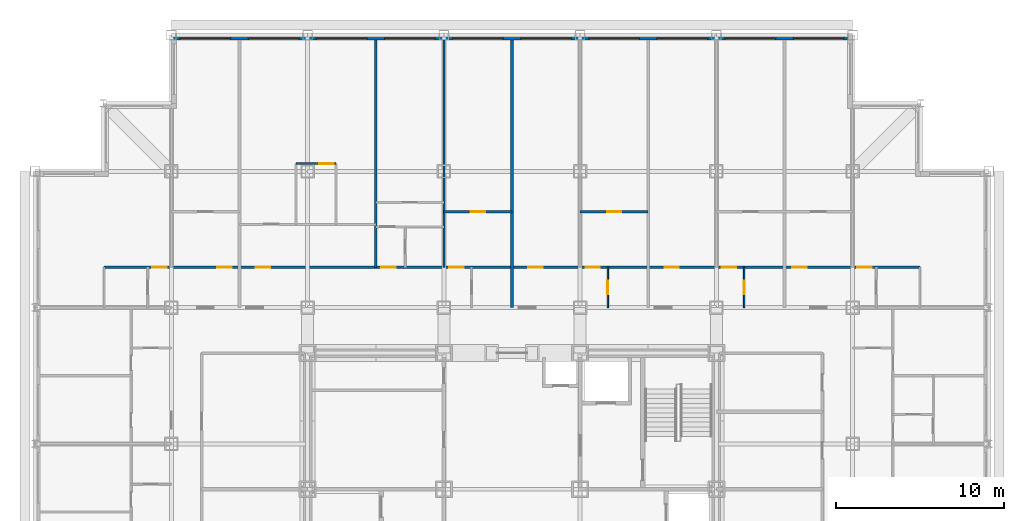
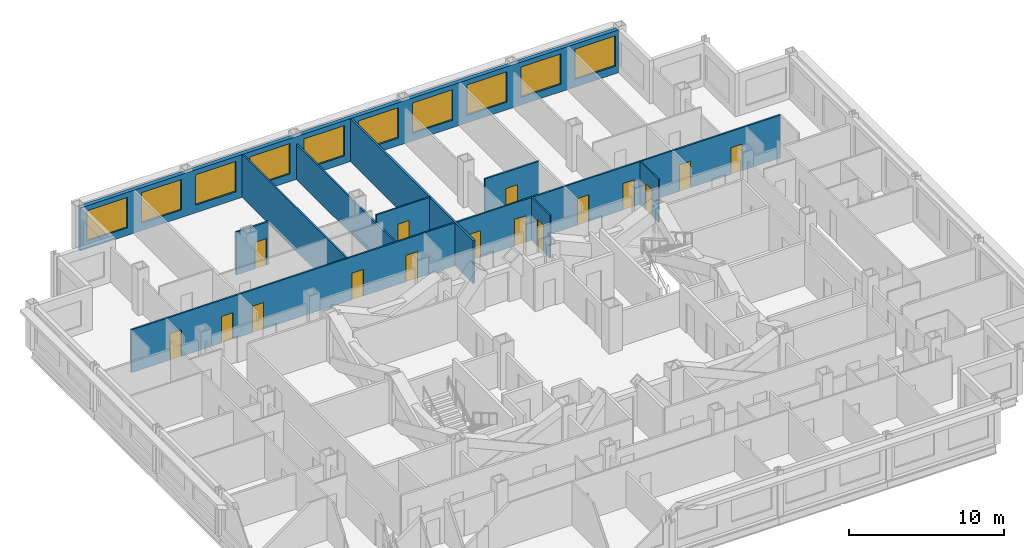
# One storey, part 10 of 12: 16 doors, 10 walls, 10 windows, 26 openings.
"""IFC4 building model written with IfcOpenShell, lengths in metres."""

from ifc_helpers import new_model, si_unit, direction, frame, frame_2d, origin, place, context, subcontext, project, spatial, rectangle, extrude, material, layer, layer_set, type_object, element, fill, save


model = new_model("IFC4")

# Units and contexts
model_context = context("Model", 3, precision=1e-05, world=origin(), true_north=direction((0.0, 1.0)))
body_context = subcontext(model_context, "Body", "Model", "MODEL_VIEW")
ifc_project = project(units=[si_unit("LENGTHUNIT", "METRE"), si_unit("AREAUNIT", "SQUARE_METRE"), si_unit("VOLUMEUNIT", "CUBIC_METRE"), si_unit("PLANEANGLEUNIT", "RADIAN"), si_unit("MASSUNIT", "GRAM", prefix="KILO")], contexts=[model_context])

# Site, building, storey
site_placement = place(None, origin())
site = spatial("IfcSite", under=ifc_project, at=site_placement, CompositionType="ELEMENT")
building_placement = place(site_placement, origin())
building = spatial("IfcBuilding", under=site, at=building_placement, Name="Kopane Lantern Tower", CompositionType="ELEMENT")
storey_placement = place(building_placement, frame((0.0, 0.0, 195.60009765625)))
storey = spatial("IfcBuildingStorey", under=building, at=storey_placement, Name="L50", CompositionType="ELEMENT", Elevation=195.60009765625)

# Walls
ifc_material_1 = material(Name="Gypsum board on steel studs", Category="steel")
ifc_layer_1 = layer(ifc_material_1, 0.1201171875)
ifc_layer_set_1 = layer_set([ifc_layer_1], Name="APARTMENT INTERNAL WALL 120")
wall_type_1 = type_object("IfcWallType", Name="APARTMENT INTERNAL WALL 120", PredefinedType="PARTITIONING", material=ifc_layer_set_1)
wall_1_placement = place(storey_placement, frame((20.25, 45.60009765625, 0.0), z_axis=(0.0, 0.0, 1.0), x_axis=(0.0, 1.0, 0.0)))
element("IfcWall", 1, at=wall_1_placement, inside=storey, type_object=wall_type_1, Name="Apartment Internal Wall 120 L50", PredefinedType="PARTITIONING", context=body_context, shape_type="SweptSolid", body=[
    extrude(rectangle(XDim=13.5, YDim=0.1201171875, at=frame_2d((6.75, 0.0))), origin(), (0.0, 0.0, 1.0), 3.389892578125),
])
wall_2_placement = place(storey_placement, frame((24.300048828125, 45.60009765625, 0.0), z_axis=(0.0, 0.0, 1.0), x_axis=(0.0, 1.0, 0.0)))
element("IfcWall", 2, at=wall_2_placement, inside=storey, type_object=wall_type_1, Name="Apartment Internal Wall 120 L50", PredefinedType="PARTITIONING", context=body_context, shape_type="SweptSolid", body=[
    extrude(rectangle(XDim=13.5, YDim=0.1201171875, at=frame_2d((6.75, 0.0))), origin(), (0.0, 0.0, 1.0), 2.777587890625),
])

# Wall, openings, doors
wall_3_placement = place(storey_placement, frame((4.10009765625, 45.60009765625, 0.0), z_axis=(0.0, 0.0, 1.0), x_axis=(1.0, 0.0, 0.0)))
wall_3 = element("IfcWall", 3, at=wall_3_placement, inside=storey, type_object=wall_type_1, Name="Apartment Internal Wall 120 L50", PredefinedType="PARTITIONING", context=body_context, shape_type="SweptSolid", body=[
    extrude(rectangle(XDim=48.5, YDim=0.1201171875, at=frame_2d((24.25, 0.0))), origin(), (0.0, 0.0, 1.0), 3.389892578125),
])
opening_1_placement = place(wall_3_placement, frame((9.02490234375, 0.0, 0.0)))
opening_1 = element("IfcOpeningElement", 4, at=opening_1_placement, cuts=wall_3, Name="Opening L50-028", PredefinedType="OPENING", context=body_context, shape_type="SweptSolid", body=[
    extrude(rectangle(XDim=0.85009765625, YDim=2.10009765625, at=frame_2d((0.425048828125, 1.050048828125))), frame((0.0, 0.070068359375, 0.0), z_axis=(0.0, -1.0, 0.0), x_axis=(1.0, 0.0, 0.0)), (0.0, 0.0, 1.0), 0.14013671875),
])
opening_2_placement = place(wall_3_placement, frame((16.47509765625, 0.0, 0.0)))
opening_2 = element("IfcOpeningElement", 5, at=opening_2_placement, cuts=wall_3, Name="Opening L50-030", PredefinedType="OPENING", context=body_context, shape_type="SweptSolid", body=[
    extrude(rectangle(XDim=0.85009765625, YDim=2.10009765625, at=frame_2d((0.425048828125, 1.050048828125))), frame((0.0, 0.070068359375, 0.0), z_axis=(0.0, -1.0, 0.0), x_axis=(1.0, 0.0, 0.0)), (0.0, 0.0, 1.0), 0.14013671875),
])
opening_3_placement = place(wall_3_placement, frame((20.52490234375, 0.0, 0.0)))
opening_3 = element("IfcOpeningElement", 6, at=opening_3_placement, cuts=wall_3, Name="Opening L50-031", PredefinedType="OPENING", context=body_context, shape_type="SweptSolid", body=[
    extrude(rectangle(XDim=0.85009765625, YDim=2.10009765625, at=frame_2d((0.425048828125, 1.050048828125))), frame((0.0, 0.070068359375, 0.0), z_axis=(0.0, -1.0, 0.0), x_axis=(1.0, 0.0, 0.0)), (0.0, 0.0, 1.0), 0.14013671875),
])
opening_4_placement = place(wall_3_placement, frame((25.22509765625, 0.0, 0.0)))
opening_4 = element("IfcOpeningElement", 7, at=opening_4_placement, cuts=wall_3, Name="Opening L50-034", PredefinedType="OPENING", context=body_context, shape_type="SweptSolid", body=[
    extrude(rectangle(XDim=0.85009765625, YDim=2.10009765625, at=frame_2d((0.425048828125, 1.050048828125))), frame((0.0, 0.070068359375, 0.0), z_axis=(0.0, -1.0, 0.0), x_axis=(1.0, 0.0, 0.0)), (0.0, 0.0, 1.0), 0.14013671875),
])
opening_5_placement = place(wall_3_placement, frame((28.625, 0.0, 0.0)))
opening_5 = element("IfcOpeningElement", 8, at=opening_5_placement, cuts=wall_3, Name="Opening L50-035", PredefinedType="OPENING", context=body_context, shape_type="SweptSolid", body=[
    extrude(rectangle(XDim=0.85009765625, YDim=2.10009765625, at=frame_2d((0.425048828125, 1.050048828125))), frame((0.0, 0.070068359375, 0.0), z_axis=(0.0, -1.0, 0.0), x_axis=(1.0, 0.0, 0.0)), (0.0, 0.0, 1.0), 0.14013671875),
])
opening_6_placement = place(wall_3_placement, frame((33.324951171875, 0.0, 0.0)))
opening_6 = element("IfcOpeningElement", 9, at=opening_6_placement, cuts=wall_3, Name="Opening L50-038", PredefinedType="OPENING", context=body_context, shape_type="SweptSolid", body=[
    extrude(rectangle(XDim=0.85009765625, YDim=2.10009765625, at=frame_2d((0.425048828125, 1.050048828125))), frame((0.0, 0.070068359375, 0.0), z_axis=(0.0, -1.0, 0.0), x_axis=(1.0, 0.0, 0.0)), (0.0, 0.0, 1.0), 0.14013671875),
])
opening_7_placement = place(wall_3_placement, frame((36.72509765625, 0.0, 0.0)))
opening_7 = element("IfcOpeningElement", 10, at=opening_7_placement, cuts=wall_3, Name="Opening L50-039", PredefinedType="OPENING", context=body_context, shape_type="SweptSolid", body=[
    extrude(rectangle(XDim=0.85009765625, YDim=2.10009765625, at=frame_2d((0.425048828125, 1.050048828125))), frame((0.0, 0.070068359375, 0.0), z_axis=(0.0, -1.0, 0.0), x_axis=(1.0, 0.0, 0.0)), (0.0, 0.0, 1.0), 0.14013671875),
])
opening_8_placement = place(wall_3_placement, frame((40.925048828125, 0.0, 0.0)))
opening_8 = element("IfcOpeningElement", 11, at=opening_8_placement, cuts=wall_3, Name="Opening L50-069", PredefinedType="OPENING", context=body_context, shape_type="SweptSolid", body=[
    extrude(rectangle(XDim=0.85009765625, YDim=2.10009765625, at=frame_2d((0.425048828125, 1.050048828125))), frame((0.0, 0.070068359375, 0.0), z_axis=(0.0, -1.0, 0.0), x_axis=(1.0, 0.0, 0.0)), (0.0, 0.0, 1.0), 0.14013671875),
])
opening_9_placement = place(wall_3_placement, frame((44.77490234375, 0.0, 0.0)))
opening_9 = element("IfcOpeningElement", 12, at=opening_9_placement, cuts=wall_3, Name="Opening L50-071", PredefinedType="OPENING", context=body_context, shape_type="SweptSolid", body=[
    extrude(rectangle(XDim=0.85009765625, YDim=2.10009765625, at=frame_2d((0.425048828125, 1.050048828125))), frame((0.0, 0.070068359375, 0.0), z_axis=(0.0, -1.0, 0.0), x_axis=(1.0, 0.0, 0.0)), (0.0, 0.0, 1.0), 0.14013671875),
])
opening_10_placement = place(wall_3_placement, frame((6.72509765625, 0.0, 0.0)))
opening_10 = element("IfcOpeningElement", 13, at=opening_10_placement, cuts=wall_3, Name="Opening L50-073", PredefinedType="OPENING", context=body_context, shape_type="SweptSolid", body=[
    extrude(rectangle(XDim=0.85009765625, YDim=2.10009765625, at=frame_2d((0.425048828125, 1.050048828125))), frame((0.0, 0.070068359375, 0.0), z_axis=(0.0, -1.0, 0.0), x_axis=(1.0, 0.0, 0.0)), (0.0, 0.0, 1.0), 0.14013671875),
])
opening_11_placement = place(wall_3_placement, frame((2.875, 0.0, 0.0)))
opening_11 = element("IfcOpeningElement", 14, at=opening_11_placement, cuts=wall_3, Name="Opening L50-075", PredefinedType="OPENING", context=body_context, shape_type="SweptSolid", body=[
    extrude(rectangle(XDim=0.85009765625, YDim=2.10009765625, at=frame_2d((0.425048828125, 1.050048828125))), frame((0.0, 0.070068359375, 0.0), z_axis=(0.0, -1.0, 0.0), x_axis=(1.0, 0.0, 0.0)), (0.0, 0.0, 1.0), 0.14013671875),
])
ifc_material_2 = material(Name="Timber door set", Category="wood")
door_type_1 = type_object("IfcDoorType", Name="DOOR D4 850x2100", OperationType="SINGLE_SWING_LEFT", PredefinedType="DOOR", material=ifc_material_2)
door_1_placement = place(opening_1_placement, origin())
door_1 = element("IfcDoor", 15, at=door_1_placement, inside=storey, type_object=door_type_1, Name="Door L50-028", OperationType="SINGLE_SWING_LEFT", OverallHeight=2.10009765625, OverallWidth=0.85009765625, PredefinedType="DOOR", context=body_context, shape_type="SweptSolid", body=[
    extrude(rectangle(XDim=0.85009765625, YDim=2.10009765625, at=frame_2d((0.425048828125, 1.050048828125))), frame((0.0, 0.02490234375, 0.0), z_axis=(0.0, -1.0, 0.0), x_axis=(1.0, 0.0, 0.0)), (0.0, 0.0, 1.0), 0.050048828125),
])
fill(opening_1, door_1)
door_2_placement = place(opening_2_placement, origin())
door_2 = element("IfcDoor", 16, at=door_2_placement, inside=storey, type_object=door_type_1, Name="Door L50-030", OperationType="SINGLE_SWING_LEFT", OverallHeight=2.10009765625, OverallWidth=0.85009765625, PredefinedType="DOOR", context=body_context, shape_type="SweptSolid", body=[
    extrude(rectangle(XDim=0.85009765625, YDim=2.10009765625, at=frame_2d((0.425048828125, 1.050048828125))), frame((0.0, 0.02490234375, 0.0), z_axis=(0.0, -1.0, 0.0), x_axis=(1.0, 0.0, 0.0)), (0.0, 0.0, 1.0), 0.050048828125),
])
fill(opening_2, door_2)
door_3_placement = place(opening_3_placement, origin())
door_3 = element("IfcDoor", 17, at=door_3_placement, inside=storey, type_object=door_type_1, Name="Door L50-031", OperationType="SINGLE_SWING_LEFT", OverallHeight=2.10009765625, OverallWidth=0.85009765625, PredefinedType="DOOR", context=body_context, shape_type="SweptSolid", body=[
    extrude(rectangle(XDim=0.85009765625, YDim=2.10009765625, at=frame_2d((0.425048828125, 1.050048828125))), frame((0.0, 0.02490234375, 0.0), z_axis=(0.0, -1.0, 0.0), x_axis=(1.0, 0.0, 0.0)), (0.0, 0.0, 1.0), 0.050048828125),
])
fill(opening_3, door_3)
door_4_placement = place(opening_4_placement, origin())
door_4 = element("IfcDoor", 18, at=door_4_placement, inside=storey, type_object=door_type_1, Name="Door L50-034", OperationType="SINGLE_SWING_RIGHT", OverallHeight=2.10009765625, OverallWidth=0.85009765625, PredefinedType="DOOR", context=body_context, shape_type="SweptSolid", body=[
    extrude(rectangle(XDim=0.85009765625, YDim=2.10009765625, at=frame_2d((0.425048828125, 1.050048828125))), frame((0.0, 0.02490234375, 0.0), z_axis=(0.0, -1.0, 0.0), x_axis=(1.0, 0.0, 0.0)), (0.0, 0.0, 1.0), 0.050048828125),
])
fill(opening_4, door_4)
door_5_placement = place(opening_5_placement, origin())
door_5 = element("IfcDoor", 19, at=door_5_placement, inside=storey, type_object=door_type_1, Name="Door L50-035", OperationType="SINGLE_SWING_LEFT", OverallHeight=2.10009765625, OverallWidth=0.85009765625, PredefinedType="DOOR", context=body_context, shape_type="SweptSolid", body=[
    extrude(rectangle(XDim=0.85009765625, YDim=2.10009765625, at=frame_2d((0.425048828125, 1.050048828125))), frame((0.0, 0.02490234375, 0.0), z_axis=(0.0, -1.0, 0.0), x_axis=(1.0, 0.0, 0.0)), (0.0, 0.0, 1.0), 0.050048828125),
])
fill(opening_5, door_5)
door_6_placement = place(opening_6_placement, origin())
door_6 = element("IfcDoor", 20, at=door_6_placement, inside=storey, type_object=door_type_1, Name="Door L50-038", OperationType="SINGLE_SWING_RIGHT", OverallHeight=2.10009765625, OverallWidth=0.85009765625, PredefinedType="DOOR", context=body_context, shape_type="SweptSolid", body=[
    extrude(rectangle(XDim=0.85009765625, YDim=2.10009765625, at=frame_2d((0.425048828125, 1.050048828125))), frame((0.0, 0.02490234375, 0.0), z_axis=(0.0, -1.0, 0.0), x_axis=(1.0, 0.0, 0.0)), (0.0, 0.0, 1.0), 0.050048828125),
])
fill(opening_6, door_6)
door_7_placement = place(opening_7_placement, origin())
door_7 = element("IfcDoor", 21, at=door_7_placement, inside=storey, type_object=door_type_1, Name="Door L50-039", OperationType="SINGLE_SWING_LEFT", OverallHeight=2.10009765625, OverallWidth=0.85009765625, PredefinedType="DOOR", context=body_context, shape_type="SweptSolid", body=[
    extrude(rectangle(XDim=0.85009765625, YDim=2.10009765625, at=frame_2d((0.425048828125, 1.050048828125))), frame((0.0, 0.02490234375, 0.0), z_axis=(0.0, -1.0, 0.0), x_axis=(1.0, 0.0, 0.0)), (0.0, 0.0, 1.0), 0.050048828125),
])
fill(opening_7, door_7)
door_8_placement = place(opening_8_placement, origin())
door_8 = element("IfcDoor", 22, at=door_8_placement, inside=storey, type_object=door_type_1, Name="Door L50-069", OperationType="SINGLE_SWING_RIGHT", OverallHeight=2.10009765625, OverallWidth=0.85009765625, PredefinedType="DOOR", context=body_context, shape_type="SweptSolid", body=[
    extrude(rectangle(XDim=0.85009765625, YDim=2.10009765625, at=frame_2d((0.425048828125, 1.050048828125))), frame((0.0, 0.02490234375, 0.0), z_axis=(0.0, -1.0, 0.0), x_axis=(1.0, 0.0, 0.0)), (0.0, 0.0, 1.0), 0.050048828125),
])
fill(opening_8, door_8)
door_9_placement = place(opening_9_placement, origin())
door_9 = element("IfcDoor", 23, at=door_9_placement, inside=storey, type_object=door_type_1, Name="Door L50-071", OperationType="SINGLE_SWING_LEFT", OverallHeight=2.10009765625, OverallWidth=0.85009765625, PredefinedType="DOOR", context=body_context, shape_type="SweptSolid", body=[
    extrude(rectangle(XDim=0.85009765625, YDim=2.10009765625, at=frame_2d((0.425048828125, 1.050048828125))), frame((0.0, 0.02490234375, 0.0), z_axis=(0.0, -1.0, 0.0), x_axis=(1.0, 0.0, 0.0)), (0.0, 0.0, 1.0), 0.050048828125),
])
fill(opening_9, door_9)
door_10_placement = place(opening_10_placement, origin())
door_10 = element("IfcDoor", 24, at=door_10_placement, inside=storey, type_object=door_type_1, Name="Door L50-073", OperationType="SINGLE_SWING_LEFT", OverallHeight=2.10009765625, OverallWidth=0.85009765625, PredefinedType="DOOR", context=body_context, shape_type="SweptSolid", body=[
    extrude(rectangle(XDim=0.85009765625, YDim=2.10009765625, at=frame_2d((0.425048828125, 1.050048828125))), frame((0.0, 0.02490234375, 0.0), z_axis=(0.0, -1.0, 0.0), x_axis=(1.0, 0.0, 0.0)), (0.0, 0.0, 1.0), 0.050048828125),
])
fill(opening_10, door_10)
door_11_placement = place(opening_11_placement, origin())
door_11 = element("IfcDoor", 25, at=door_11_placement, inside=storey, type_object=door_type_1, Name="Door L50-075", OperationType="SINGLE_SWING_RIGHT", OverallHeight=2.10009765625, OverallWidth=0.85009765625, PredefinedType="DOOR", context=body_context, shape_type="SweptSolid", body=[
    extrude(rectangle(XDim=0.85009765625, YDim=2.10009765625, at=frame_2d((0.425048828125, 1.050048828125))), frame((0.0, 0.02490234375, 0.0), z_axis=(0.0, -1.0, 0.0), x_axis=(1.0, 0.0, 0.0)), (0.0, 0.0, 1.0), 0.050048828125),
])
fill(opening_11, door_11)

# Wall, opening, door
wall_4_placement = place(storey_placement, frame((24.300048828125, 48.89990234375, 0.0), z_axis=(0.0, 0.0, 1.0), x_axis=(1.0, 0.0, 0.0)))
wall_4 = element("IfcWall", 26, at=wall_4_placement, inside=storey, type_object=wall_type_1, Name="Apartment Internal Wall 120 L50", PredefinedType="PARTITIONING", context=body_context, shape_type="SweptSolid", body=[
    extrude(rectangle(XDim=4.050048828125, YDim=0.1201171875, at=frame_2d((2.02490234375, 0.0))), origin(), (0.0, 0.0, 1.0), 3.389892578125),
])
opening_12_placement = place(wall_4_placement, frame((1.60009765625, 0.0, 0.0)))
opening_12 = element("IfcOpeningElement", 27, at=opening_12_placement, cuts=wall_4, Name="Opening L50-080", PredefinedType="OPENING", context=body_context, shape_type="SweptSolid", body=[
    extrude(rectangle(XDim=0.85009765625, YDim=2.10009765625, at=frame_2d((0.425048828125, 1.050048828125))), frame((0.0, 0.070068359375, 0.0), z_axis=(0.0, -1.0, 0.0), x_axis=(1.0, 0.0, 0.0)), (0.0, 0.0, 1.0), 0.14013671875),
])
door_12_placement = place(opening_12_placement, origin())
door_12 = element("IfcDoor", 28, at=door_12_placement, inside=storey, type_object=door_type_1, Name="Door L50-080", OperationType="SINGLE_SWING_RIGHT", OverallHeight=2.10009765625, OverallWidth=0.85009765625, PredefinedType="DOOR", context=body_context, shape_type="SweptSolid", body=[
    extrude(rectangle(XDim=0.85009765625, YDim=2.10009765625, at=frame_2d((0.425048828125, 1.050048828125))), frame((0.0, 0.02490234375, 0.0), z_axis=(0.0, -1.0, 0.0), x_axis=(1.0, 0.0, 0.0)), (0.0, 0.0, 1.0), 0.050048828125),
])
fill(opening_12, door_12)

wall_5_placement = place(storey_placement, frame((32.39990234375, 48.89990234375, 0.0), z_axis=(0.0, 0.0, 1.0), x_axis=(1.0, 0.0, 0.0)))
wall_5 = element("IfcWall", 29, at=wall_5_placement, inside=storey, type_object=wall_type_1, Name="Apartment Internal Wall 120 L50", PredefinedType="PARTITIONING", context=body_context, shape_type="SweptSolid", body=[
    extrude(rectangle(XDim=4.050048828125, YDim=0.1201171875, at=frame_2d((2.02490234375, 0.0))), origin(), (0.0, 0.0, 1.0), 3.389892578125),
])
opening_13_placement = place(wall_5_placement, frame((1.60009765625, 0.0, 0.0)))
opening_13 = element("IfcOpeningElement", 30, at=opening_13_placement, cuts=wall_5, Name="Opening L50-081", PredefinedType="OPENING", context=body_context, shape_type="SweptSolid", body=[
    extrude(rectangle(XDim=0.85009765625, YDim=2.10009765625, at=frame_2d((0.425048828125, 1.050048828125))), frame((0.0, 0.070068359375, 0.0), z_axis=(0.0, -1.0, 0.0), x_axis=(1.0, 0.0, 0.0)), (0.0, 0.0, 1.0), 0.14013671875),
])
door_13_placement = place(opening_13_placement, origin())
door_13 = element("IfcDoor", 31, at=door_13_placement, inside=storey, type_object=door_type_1, Name="Door L50-081", OperationType="SINGLE_SWING_RIGHT", OverallHeight=2.10009765625, OverallWidth=0.85009765625, PredefinedType="DOOR", context=body_context, shape_type="SweptSolid", body=[
    extrude(rectangle(XDim=0.85009765625, YDim=2.10009765625, at=frame_2d((0.425048828125, 1.050048828125))), frame((0.0, 0.02490234375, 0.0), z_axis=(0.0, -1.0, 0.0), x_axis=(1.0, 0.0, 0.0)), (0.0, 0.0, 1.0), 0.050048828125),
])
fill(opening_13, door_13)

wall_6_placement = place(storey_placement, frame((15.5, 51.760009765625, 0.0), z_axis=(0.0, 0.0, 1.0), x_axis=(1.0, 0.0, 0.0)))
wall_6 = element("IfcWall", 32, at=wall_6_placement, inside=storey, type_object=wall_type_1, Name="Apartment Internal Wall 120 L50", PredefinedType="PARTITIONING", context=body_context, shape_type="SweptSolid", body=[
    extrude(rectangle(XDim=2.39990234375, YDim=0.1201171875, at=frame_2d((1.199951171875, 0.0))), origin(), (0.0, 0.0, 1.0), 3.389892578125),
])
opening_14_placement = place(wall_6_placement, frame((1.389892578125, 0.0, 0.0)))
opening_14 = element("IfcOpeningElement", 33, at=opening_14_placement, cuts=wall_6, Name="Opening L50-085", PredefinedType="OPENING", context=body_context, shape_type="SweptSolid", body=[
    extrude(rectangle(XDim=0.85009765625, YDim=2.10009765625, at=frame_2d((0.425048828125, 1.050048828125))), frame((0.0, 0.070068359375, 0.0), z_axis=(0.0, -1.0, 0.0), x_axis=(1.0, 0.0, 0.0)), (0.0, 0.0, 1.0), 0.14013671875),
])
door_14_placement = place(opening_14_placement, origin())
door_14 = element("IfcDoor", 34, at=door_14_placement, inside=storey, type_object=door_type_1, Name="Door L50-085", OperationType="SINGLE_SWING_LEFT", OverallHeight=2.10009765625, OverallWidth=0.85009765625, PredefinedType="DOOR", context=body_context, shape_type="SweptSolid", body=[
    extrude(rectangle(XDim=0.85009765625, YDim=2.10009765625, at=frame_2d((0.425048828125, 1.050048828125))), frame((0.0, 0.02490234375, 0.0), z_axis=(0.0, -1.0, 0.0), x_axis=(1.0, 0.0, 0.0)), (0.0, 0.0, 1.0), 0.050048828125),
])
fill(opening_14, door_14)

ifc_material_3 = material(Name="Moisture-resistant board on steel studs", Category="steel")
ifc_layer_2 = layer(ifc_material_3, 0.10009765625)
ifc_layer_set_2 = layer_set([ifc_layer_2], Name="BATHROOM WALL 100")
wall_type_2 = type_object("IfcWallType", Name="BATHROOM WALL 100", PredefinedType="PARTITIONING", material=ifc_layer_set_2)
wall_7_placement = place(storey_placement, frame((34.050048828125, 43.199951171875, 0.0), z_axis=(0.0, 0.0, 1.0), x_axis=(0.0, 1.0, 0.0)))
wall_7 = element("IfcWall", 35, at=wall_7_placement, inside=storey, type_object=wall_type_2, Name="Bathroom Wall 100 L50", PredefinedType="PARTITIONING", context=body_context, shape_type="SweptSolid", body=[
    extrude(rectangle(XDim=2.400146484375, YDim=0.10009765625, at=frame_2d((1.2001953125, 0.0))), origin(), (0.0, 0.0, 1.0), 3.389892578125),
])
opening_15_placement = place(wall_7_placement, frame((0.800048828125, 0.0, 0.0)))
opening_15 = element("IfcOpeningElement", 36, at=opening_15_placement, cuts=wall_7, Name="Opening L50-032", PredefinedType="OPENING", context=body_context, shape_type="SweptSolid", body=[
    extrude(rectangle(XDim=0.800048828125, YDim=2.10009765625, at=frame_2d((0.39990234375, 1.050048828125))), frame((0.0, 0.06005859375, 0.0), z_axis=(0.0, -1.0, 0.0), x_axis=(1.0, 0.0, 0.0)), (0.0, 0.0, 1.0), 0.1201171875),
])
ifc_material_4 = material(Name="Timber door set", Category="wood")
door_type_2 = type_object("IfcDoorType", Name="DOOR D2 800x2100", OperationType="SINGLE_SWING_LEFT", PredefinedType="DOOR", material=ifc_material_4)
door_15_placement = place(opening_15_placement, origin())
door_15 = element("IfcDoor", 37, at=door_15_placement, inside=storey, type_object=door_type_2, Name="Door L50-032", OperationType="SINGLE_SWING_RIGHT", OverallHeight=2.10009765625, OverallWidth=0.800048828125, PredefinedType="DOOR", context=body_context, shape_type="SweptSolid", body=[
    extrude(rectangle(XDim=0.800048828125, YDim=2.10009765625, at=frame_2d((0.39990234375, 1.050048828125))), frame((0.0, 0.02490234375, 0.0), z_axis=(0.0, -1.0, 0.0), x_axis=(1.0, 0.0, 0.0)), (0.0, 0.0, 1.0), 0.050048828125),
])
fill(opening_15, door_15)

wall_8_placement = place(storey_placement, frame((42.14990234375, 43.199951171875, 0.0), z_axis=(0.0, 0.0, 1.0), x_axis=(0.0, 1.0, 0.0)))
wall_8 = element("IfcWall", 38, at=wall_8_placement, inside=storey, type_object=wall_type_2, Name="Bathroom Wall 100 L50", PredefinedType="PARTITIONING", context=body_context, shape_type="SweptSolid", body=[
    extrude(rectangle(XDim=2.400146484375, YDim=0.10009765625, at=frame_2d((1.2001953125, 0.0))), origin(), (0.0, 0.0, 1.0), 3.389892578125),
])
opening_16_placement = place(wall_8_placement, frame((0.800048828125, 0.0, 0.0)))
opening_16 = element("IfcOpeningElement", 39, at=opening_16_placement, cuts=wall_8, Name="Opening L50-036", PredefinedType="OPENING", context=body_context, shape_type="SweptSolid", body=[
    extrude(rectangle(XDim=0.800048828125, YDim=2.10009765625, at=frame_2d((0.39990234375, 1.050048828125))), frame((0.0, 0.06005859375, 0.0), z_axis=(0.0, -1.0, 0.0), x_axis=(1.0, 0.0, 0.0)), (0.0, 0.0, 1.0), 0.1201171875),
])
door_16_placement = place(opening_16_placement, origin())
door_16 = element("IfcDoor", 40, at=door_16_placement, inside=storey, type_object=door_type_2, Name="Door L50-036", OperationType="SINGLE_SWING_RIGHT", OverallHeight=2.10009765625, OverallWidth=0.800048828125, PredefinedType="DOOR", context=body_context, shape_type="SweptSolid", body=[
    extrude(rectangle(XDim=0.800048828125, YDim=2.10009765625, at=frame_2d((0.39990234375, 1.050048828125))), frame((0.0, 0.02490234375, 0.0), z_axis=(0.0, -1.0, 0.0), x_axis=(1.0, 0.0, 0.0)), (0.0, 0.0, 1.0), 0.050048828125),
])
fill(opening_16, door_16)

# Wall
ifc_material_5 = material(Name="Gypsum board on steel studs", Category="steel")
ifc_layer_3 = layer(ifc_material_5, 0.14990234375)
ifc_layer_set_3 = layer_set([ifc_layer_3], Name="DEMISING WALL 150 EI 60")
wall_type_3 = type_object("IfcWallType", Name="DEMISING WALL 150 EI 60", PredefinedType="PARTITIONING", material=ifc_layer_set_3)
wall_9_placement = place(storey_placement, frame((28.35009765625, 43.199951171875, 0.0), z_axis=(0.0, 0.0, 1.0), x_axis=(0.0, 1.0, 0.0)))
element("IfcWall", 41, at=wall_9_placement, inside=storey, type_object=wall_type_3, Name="Demising Wall 150 Ei 60 L50", PredefinedType="PARTITIONING", context=body_context, shape_type="SweptSolid", body=[
    extrude(rectangle(XDim=15.900146484375, YDim=0.14990234375, at=frame_2d((7.9501953125, 0.0))), origin(), (0.0, 0.0, 1.0), 3.389892578125),
])

# Wall, openings, windows
ifc_material_6 = material(Name="Terracotta rainscreen on light steel framing", Category="masonry")
ifc_layer_4 = layer(ifc_material_6, 0.300048828125)
ifc_layer_set_4 = layer_set([ifc_layer_4], Name="EXTERNAL WALL EW1 300 TERRACOTTA")
wall_type_4 = type_object("IfcWallType", Name="EXTERNAL WALL EW1 300 TERRACOTTA", PredefinedType="SOLIDWALL", material=ifc_layer_set_4)
wall_10_placement = place(storey_placement, frame((48.300048828125, 59.25, 0.0), z_axis=(0.0, 0.0, 1.0), x_axis=(-1.0, 0.0, 0.0)))
wall_10 = element("IfcWall", 42, at=wall_10_placement, inside=storey, type_object=wall_type_4, Name="External wall N L50", PredefinedType="SOLIDWALL", context=body_context, shape_type="SweptSolid", body=[
    extrude(rectangle(XDim=40.199951171875, YDim=0.300048828125, at=frame_2d((20.10009765625, 0.0))), origin(), (0.0, 0.0, 1.0), 3.389892578125),
])
opening_17_placement = place(wall_10_placement, frame((0.22509765625, 0.0, 0.60009765625)))
opening_17 = element("IfcOpeningElement", 43, at=opening_17_placement, cuts=wall_10, Name="Opening WR300240", PredefinedType="OPENING", context=body_context, shape_type="SweptSolid", body=[
    extrude(rectangle(XDim=3.0, YDim=2.39990234375, at=frame_2d((1.5, 1.199951171875))), frame((0.0, 0.159912109375, 0.0), z_axis=(0.0, -1.0, 0.0), x_axis=(1.0, 0.0, 0.0)), (0.0, 0.0, 1.0), 0.320068359375),
])
opening_18_placement = place(wall_10_placement, frame((4.27490234375, 0.0, 0.60009765625)))
opening_18 = element("IfcOpeningElement", 44, at=opening_18_placement, cuts=wall_10, Name="Opening WR300240", PredefinedType="OPENING", context=body_context, shape_type="SweptSolid", body=[
    extrude(rectangle(XDim=3.0, YDim=2.39990234375, at=frame_2d((1.5, 1.199951171875))), frame((0.0, 0.159912109375, 0.0), z_axis=(0.0, -1.0, 0.0), x_axis=(1.0, 0.0, 0.0)), (0.0, 0.0, 1.0), 0.320068359375),
])
opening_19_placement = place(wall_10_placement, frame((8.324951171875, 0.0, 0.60009765625)))
opening_19 = element("IfcOpeningElement", 45, at=opening_19_placement, cuts=wall_10, Name="Opening WR300240", PredefinedType="OPENING", context=body_context, shape_type="SweptSolid", body=[
    extrude(rectangle(XDim=3.0, YDim=2.39990234375, at=frame_2d((1.5, 1.199951171875))), frame((0.0, 0.159912109375, 0.0), z_axis=(0.0, -1.0, 0.0), x_axis=(1.0, 0.0, 0.0)), (0.0, 0.0, 1.0), 0.320068359375),
])
opening_20_placement = place(wall_10_placement, frame((12.375, 0.0, 0.60009765625)))
opening_20 = element("IfcOpeningElement", 46, at=opening_20_placement, cuts=wall_10, Name="Opening WR300240", PredefinedType="OPENING", context=body_context, shape_type="SweptSolid", body=[
    extrude(rectangle(XDim=3.0, YDim=2.39990234375, at=frame_2d((1.5, 1.199951171875))), frame((0.0, 0.159912109375, 0.0), z_axis=(0.0, -1.0, 0.0), x_axis=(1.0, 0.0, 0.0)), (0.0, 0.0, 1.0), 0.320068359375),
])
opening_21_placement = place(wall_10_placement, frame((16.425048828125, 0.0, 0.60009765625)))
opening_21 = element("IfcOpeningElement", 47, at=opening_21_placement, cuts=wall_10, Name="Opening WR300240", PredefinedType="OPENING", context=body_context, shape_type="SweptSolid", body=[
    extrude(rectangle(XDim=3.0, YDim=2.39990234375, at=frame_2d((1.5, 1.199951171875))), frame((0.0, 0.159912109375, 0.0), z_axis=(0.0, -1.0, 0.0), x_axis=(1.0, 0.0, 0.0)), (0.0, 0.0, 1.0), 0.320068359375),
])
opening_22_placement = place(wall_10_placement, frame((20.47509765625, 0.0, 0.60009765625)))
opening_22 = element("IfcOpeningElement", 48, at=opening_22_placement, cuts=wall_10, Name="Opening WR300240", PredefinedType="OPENING", context=body_context, shape_type="SweptSolid", body=[
    extrude(rectangle(XDim=3.0, YDim=2.39990234375, at=frame_2d((1.5, 1.199951171875))), frame((0.0, 0.159912109375, 0.0), z_axis=(0.0, -1.0, 0.0), x_axis=(1.0, 0.0, 0.0)), (0.0, 0.0, 1.0), 0.320068359375),
])
opening_23_placement = place(wall_10_placement, frame((24.52490234375, 0.0, 0.60009765625)))
opening_23 = element("IfcOpeningElement", 49, at=opening_23_placement, cuts=wall_10, Name="Opening WR300240", PredefinedType="OPENING", context=body_context, shape_type="SweptSolid", body=[
    extrude(rectangle(XDim=3.0, YDim=2.39990234375, at=frame_2d((1.5, 1.199951171875))), frame((0.0, 0.159912109375, 0.0), z_axis=(0.0, -1.0, 0.0), x_axis=(1.0, 0.0, 0.0)), (0.0, 0.0, 1.0), 0.320068359375),
])
opening_24_placement = place(wall_10_placement, frame((28.574951171875, 0.0, 0.60009765625)))
opening_24 = element("IfcOpeningElement", 50, at=opening_24_placement, cuts=wall_10, Name="Opening WR300240", PredefinedType="OPENING", context=body_context, shape_type="SweptSolid", body=[
    extrude(rectangle(XDim=3.0, YDim=2.39990234375, at=frame_2d((1.5, 1.199951171875))), frame((0.0, 0.159912109375, 0.0), z_axis=(0.0, -1.0, 0.0), x_axis=(1.0, 0.0, 0.0)), (0.0, 0.0, 1.0), 0.320068359375),
])
opening_25_placement = place(wall_10_placement, frame((32.625, 0.0, 0.60009765625)))
opening_25 = element("IfcOpeningElement", 51, at=opening_25_placement, cuts=wall_10, Name="Opening WR300240", PredefinedType="OPENING", context=body_context, shape_type="SweptSolid", body=[
    extrude(rectangle(XDim=3.0, YDim=2.39990234375, at=frame_2d((1.5, 1.199951171875))), frame((0.0, 0.159912109375, 0.0), z_axis=(0.0, -1.0, 0.0), x_axis=(1.0, 0.0, 0.0)), (0.0, 0.0, 1.0), 0.320068359375),
])
opening_26_placement = place(wall_10_placement, frame((36.675048828125, 0.0, 0.60009765625)))
opening_26 = element("IfcOpeningElement", 52, at=opening_26_placement, cuts=wall_10, Name="Opening WR300240", PredefinedType="OPENING", context=body_context, shape_type="SweptSolid", body=[
    extrude(rectangle(XDim=3.0, YDim=2.39990234375, at=frame_2d((1.5, 1.199951171875))), frame((0.0, 0.159912109375, 0.0), z_axis=(0.0, -1.0, 0.0), x_axis=(1.0, 0.0, 0.0)), (0.0, 0.0, 1.0), 0.320068359375),
])
ifc_material_7 = material(Name="Aluminium and clear glass", Category="aluminium")
window_type = type_object("IfcWindowType", Name="RIBBON WINDOW WR300240 3000x2400", PartitioningType="SINGLE_PANEL", PredefinedType="WINDOW", material=ifc_material_7)
window_1_placement = place(opening_17_placement, origin())
window_1 = element("IfcWindow", 53, at=window_1_placement, inside=storey, type_object=window_type, Name="Window N L50", OverallHeight=2.39990234375, OverallWidth=3.0, PartitioningType="SINGLE_PANEL", PredefinedType="WINDOW", context=body_context, shape_type="SweptSolid", body=[
    extrude(rectangle(XDim=3.0, YDim=2.39990234375, at=frame_2d((1.5, 1.199951171875))), frame((0.0, 0.030029296875, 0.0), z_axis=(0.0, -1.0, 0.0), x_axis=(1.0, 0.0, 0.0)), (0.0, 0.0, 1.0), 0.06005859375),
])
fill(opening_17, window_1)
window_2_placement = place(opening_18_placement, origin())
window_2 = element("IfcWindow", 54, at=window_2_placement, inside=storey, type_object=window_type, Name="Window N L50", OverallHeight=2.39990234375, OverallWidth=3.0, PartitioningType="SINGLE_PANEL", PredefinedType="WINDOW", context=body_context, shape_type="SweptSolid", body=[
    extrude(rectangle(XDim=3.0, YDim=2.39990234375, at=frame_2d((1.5, 1.199951171875))), frame((0.0, 0.030029296875, 0.0), z_axis=(0.0, -1.0, 0.0), x_axis=(1.0, 0.0, 0.0)), (0.0, 0.0, 1.0), 0.06005859375),
])
fill(opening_18, window_2)
window_3_placement = place(opening_19_placement, origin())
window_3 = element("IfcWindow", 55, at=window_3_placement, inside=storey, type_object=window_type, Name="Window N L50", OverallHeight=2.39990234375, OverallWidth=3.0, PartitioningType="SINGLE_PANEL", PredefinedType="WINDOW", context=body_context, shape_type="SweptSolid", body=[
    extrude(rectangle(XDim=3.0, YDim=2.39990234375, at=frame_2d((1.5, 1.199951171875))), frame((0.0, 0.030029296875, 0.0), z_axis=(0.0, -1.0, 0.0), x_axis=(1.0, 0.0, 0.0)), (0.0, 0.0, 1.0), 0.06005859375),
])
fill(opening_19, window_3)
window_4_placement = place(opening_20_placement, origin())
window_4 = element("IfcWindow", 56, at=window_4_placement, inside=storey, type_object=window_type, Name="Window N L50", OverallHeight=2.39990234375, OverallWidth=3.0, PartitioningType="SINGLE_PANEL", PredefinedType="WINDOW", context=body_context, shape_type="SweptSolid", body=[
    extrude(rectangle(XDim=3.0, YDim=2.39990234375, at=frame_2d((1.5, 1.199951171875))), frame((0.0, 0.030029296875, 0.0), z_axis=(0.0, -1.0, 0.0), x_axis=(1.0, 0.0, 0.0)), (0.0, 0.0, 1.0), 0.06005859375),
])
fill(opening_20, window_4)
window_5_placement = place(opening_21_placement, origin())
window_5 = element("IfcWindow", 57, at=window_5_placement, inside=storey, type_object=window_type, Name="Window N L50", OverallHeight=2.39990234375, OverallWidth=3.0, PartitioningType="SINGLE_PANEL", PredefinedType="WINDOW", context=body_context, shape_type="SweptSolid", body=[
    extrude(rectangle(XDim=3.0, YDim=2.39990234375, at=frame_2d((1.5, 1.199951171875))), frame((0.0, 0.030029296875, 0.0), z_axis=(0.0, -1.0, 0.0), x_axis=(1.0, 0.0, 0.0)), (0.0, 0.0, 1.0), 0.06005859375),
])
fill(opening_21, window_5)
window_6_placement = place(opening_22_placement, origin())
window_6 = element("IfcWindow", 58, at=window_6_placement, inside=storey, type_object=window_type, Name="Window N L50", OverallHeight=2.39990234375, OverallWidth=3.0, PartitioningType="SINGLE_PANEL", PredefinedType="WINDOW", context=body_context, shape_type="SweptSolid", body=[
    extrude(rectangle(XDim=3.0, YDim=2.39990234375, at=frame_2d((1.5, 1.199951171875))), frame((0.0, 0.030029296875, 0.0), z_axis=(0.0, -1.0, 0.0), x_axis=(1.0, 0.0, 0.0)), (0.0, 0.0, 1.0), 0.06005859375),
])
fill(opening_22, window_6)
window_7_placement = place(opening_23_placement, origin())
window_7 = element("IfcWindow", 59, at=window_7_placement, inside=storey, type_object=window_type, Name="Window N L50", OverallHeight=2.39990234375, OverallWidth=3.0, PartitioningType="SINGLE_PANEL", PredefinedType="WINDOW", context=body_context, shape_type="SweptSolid", body=[
    extrude(rectangle(XDim=3.0, YDim=2.39990234375, at=frame_2d((1.5, 1.199951171875))), frame((0.0, 0.030029296875, 0.0), z_axis=(0.0, -1.0, 0.0), x_axis=(1.0, 0.0, 0.0)), (0.0, 0.0, 1.0), 0.06005859375),
])
fill(opening_23, window_7)
window_8_placement = place(opening_24_placement, origin())
window_8 = element("IfcWindow", 60, at=window_8_placement, inside=storey, type_object=window_type, Name="Window N L50", OverallHeight=2.39990234375, OverallWidth=3.0, PartitioningType="SINGLE_PANEL", PredefinedType="WINDOW", context=body_context, shape_type="SweptSolid", body=[
    extrude(rectangle(XDim=3.0, YDim=2.39990234375, at=frame_2d((1.5, 1.199951171875))), frame((0.0, 0.030029296875, 0.0), z_axis=(0.0, -1.0, 0.0), x_axis=(1.0, 0.0, 0.0)), (0.0, 0.0, 1.0), 0.06005859375),
])
fill(opening_24, window_8)
window_9_placement = place(opening_25_placement, origin())
window_9 = element("IfcWindow", 61, at=window_9_placement, inside=storey, type_object=window_type, Name="Window N L50", OverallHeight=2.39990234375, OverallWidth=3.0, PartitioningType="SINGLE_PANEL", PredefinedType="WINDOW", context=body_context, shape_type="SweptSolid", body=[
    extrude(rectangle(XDim=3.0, YDim=2.39990234375, at=frame_2d((1.5, 1.199951171875))), frame((0.0, 0.030029296875, 0.0), z_axis=(0.0, -1.0, 0.0), x_axis=(1.0, 0.0, 0.0)), (0.0, 0.0, 1.0), 0.06005859375),
])
fill(opening_25, window_9)
window_10_placement = place(opening_26_placement, origin())
window_10 = element("IfcWindow", 62, at=window_10_placement, inside=storey, type_object=window_type, Name="Window N L50", OverallHeight=2.39990234375, OverallWidth=3.0, PartitioningType="SINGLE_PANEL", PredefinedType="WINDOW", context=body_context, shape_type="SweptSolid", body=[
    extrude(rectangle(XDim=3.0, YDim=2.39990234375, at=frame_2d((1.5, 1.199951171875))), frame((0.0, 0.030029296875, 0.0), z_axis=(0.0, -1.0, 0.0), x_axis=(1.0, 0.0, 0.0)), (0.0, 0.0, 1.0), 0.06005859375),
])
fill(opening_26, window_10)

save(model, "model.ifc")
